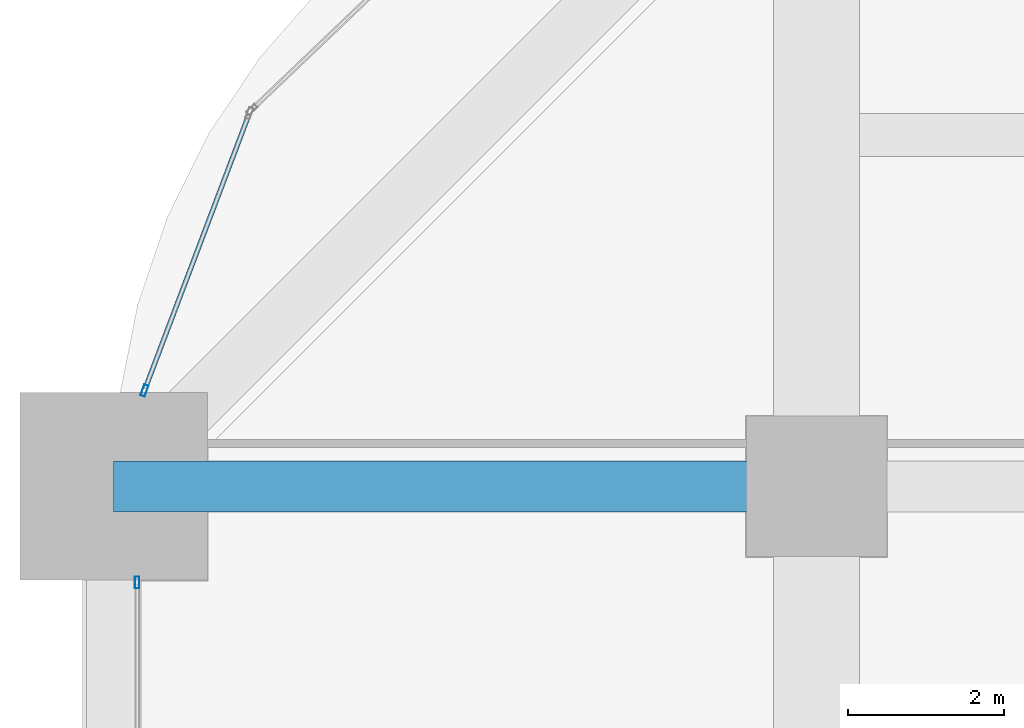
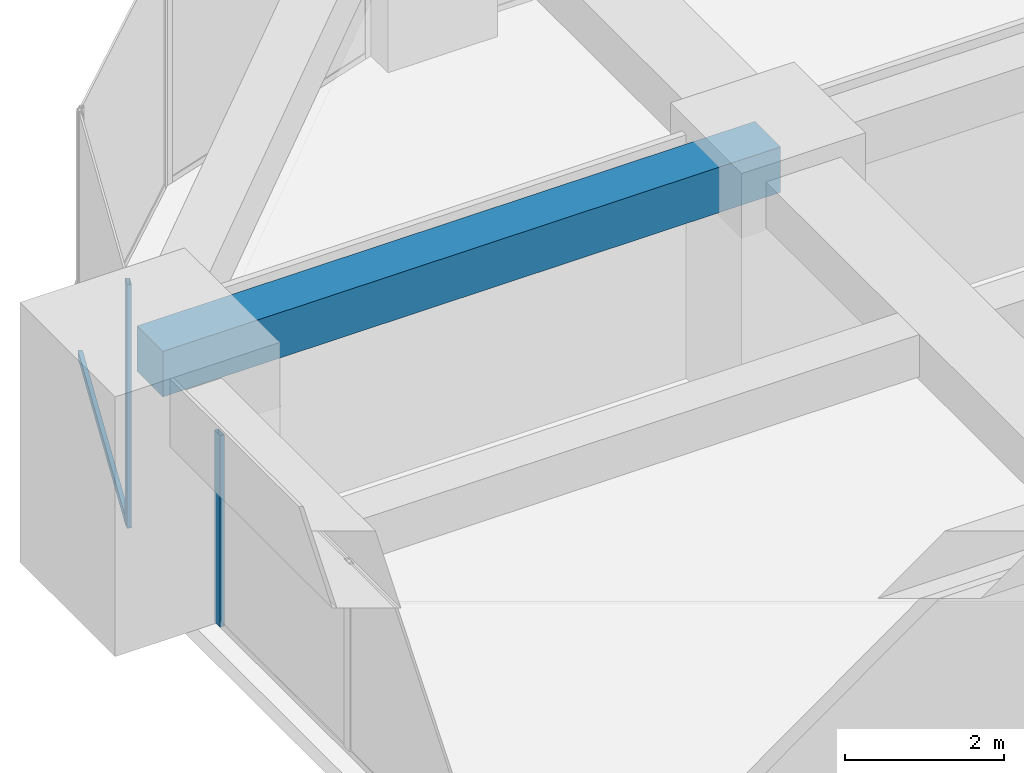
# One storey, part 24 of 40: 3 members, 1 beam, 2 elements without a shape of their own.
"""IFC4 building model written with IfcOpenShell, lengths in metres."""

from ifc_helpers import new_model, si_unit, direction, frame, origin, origin_2d, place, context, subcontext, project, spatial, rectangle, hollow_rectangle, extrude, material, material_profile, profile_set, type_object, element, aggregate, save


model = new_model("IFC4")

# Units and contexts
model_context = context("Model", 3, precision=1e-05, world=origin(), true_north=direction((0.0, 1.0)))
body_context = subcontext(model_context, "Body", "Model", "MODEL_VIEW")
ifc_project = project(units=[si_unit("LENGTHUNIT", "METRE"), si_unit("AREAUNIT", "SQUARE_METRE"), si_unit("VOLUMEUNIT", "CUBIC_METRE"), si_unit("PLANEANGLEUNIT", "RADIAN"), si_unit("MASSUNIT", "GRAM", prefix="KILO")], contexts=[model_context])

# Site, building, storey
site_placement = place(None, origin())
site = spatial("IfcSite", under=ifc_project, at=site_placement, CompositionType="ELEMENT")
building_placement = place(site_placement, origin())
building = spatial("IfcBuilding", under=site, at=building_placement, Name="Zorevar Civic Tower", CompositionType="ELEMENT")
storey_placement = place(building_placement, frame((0.0, 0.0, 129.0)))
storey = spatial("IfcBuildingStorey", under=building, at=storey_placement, Name="L31", CompositionType="ELEMENT", Elevation=129.0)

# Beam
ifc_material_1 = material(Name="Concrete C50/60", Category="concrete")
ifc_material_profile_1 = material_profile(ifc_material_1, rectangle(XDim=0.64990234375, YDim=0.699951171875, at=origin_2d()), Name="RC 650x700")
ifc_profile_set_1 = profile_set([ifc_material_profile_1], Name="Concrete C50/60")
beam_type = type_object("IfcBeamType", Name="Beam RC 650x700", PredefinedType="BEAM", material=ifc_profile_set_1)
beam_placement = place(storey_placement, frame((0.0, 36.0, 3.39990234375), z_axis=(1.0, 0.0, 0.0), x_axis=(0.0, 1.0, 0.0)))
element("IfcBeam", 1, at=beam_placement, inside=storey, type_object=beam_type, Name="Girder L32", PredefinedType="BEAM", context=body_context, shape_type="SweptSolid", body=[
    extrude(rectangle(XDim=0.64990234375, YDim=0.699951171875, at=origin_2d()), origin(), (0.0, 0.0, 1.0), 9.0),
])

# Curtain wall, member
ifc_material_2 = material(Name="Dark grey solar-control glass in black aluminium frame", Category="aluminium")
curtain_wall_type = type_object("IfcCurtainWallType", Name="Curtain wall CW3 mid zone", PredefinedType="NOTDEFINED", material=ifc_material_2)
curtain_wall_1_placement = place(storey_placement, origin())
curtain_wall_1 = element("IfcCurtainWall", 2, at=curtain_wall_1_placement, inside=storey, type_object=curtain_wall_type, Name="CW3 L31", PredefinedType="NOTDEFINED")
ifc_material_3 = material(Name="Aluminium, black anodised", Category="aluminium")
ifc_material_profile_2 = material_profile(ifc_material_3, hollow_rectangle(XDim=0.06005859375, YDim=0.14990234375, WallThickness=0.00390625, at=origin_2d()), Name="AL 150x60x4")
ifc_profile_set_2 = profile_set([ifc_material_profile_2], Name="Aluminium, black anodised")
member_type_1 = type_object("IfcMemberType", Name="CW3 mullion AL 150x60x4", PredefinedType="MULLION", material=ifc_profile_set_2)
member_1_placement = place(storey_placement, frame((0.300048828125, 34.77001953125, 0.0), z_axis=(0.0, 0.0, 1.0), x_axis=(-1.0, 0.0, 0.0)))
member_1 = element("IfcMember", 3, at=member_1_placement, type_object=member_type_1, Name="CW3 mullion 3", PredefinedType="MULLION", context=body_context, shape_type="SweptSolid", body=[
    extrude(hollow_rectangle(XDim=0.06005859375, YDim=0.14990234375, WallThickness=0.00390625, at=origin_2d()), origin(), (0.0, 0.0, 1.0), 2.949951171875),
])
aggregate(curtain_wall_1, [member_1])

# Curtain wall, members
curtain_wall_2_placement = place(storey_placement, origin())
curtain_wall_2 = element("IfcCurtainWall", 4, at=curtain_wall_2_placement, inside=storey, type_object=curtain_wall_type, Name="CW3 L31", PredefinedType="NOTDEFINED")
member_2_placement = place(storey_placement, frame((0.393798828125, 37.22802734375, 0.0), z_axis=(0.0, 0.0, 1.0), x_axis=(0.935276561184, -0.353917722218, 0.0)))
member_2 = element("IfcMember", 5, at=member_2_placement, type_object=member_type_1, Name="CW3 mullion 2", PredefinedType="MULLION", context=body_context, shape_type="SweptSolid", body=[
    extrude(hollow_rectangle(XDim=0.06005859375, YDim=0.14990234375, WallThickness=0.00390625, at=origin_2d()), origin(), (0.0, 0.0, 1.0), 3.75),
])
ifc_material_4 = material(Name="Aluminium, black anodised", Category="aluminium")
ifc_material_profile_3 = material_profile(ifc_material_4, hollow_rectangle(XDim=0.06005859375, YDim=0.1201171875, WallThickness=0.0029296875, at=origin_2d()), Name="AL 120x60x3")
ifc_profile_set_3 = profile_set([ifc_material_profile_3], Name="Aluminium, black anodised")
member_type_2 = type_object("IfcMemberType", Name="CW3 transom AL 120x60x3", PredefinedType="USERDEFINED", material=ifc_profile_set_3)
member_3_placement = place(storey_placement, frame((1.726318359375, 40.7490234375, 0.030029296875), z_axis=(-0.353923007857, -0.93527456103, 0.0), x_axis=(0.93527456103, -0.353923007857, 0.0)))
member_3 = element("IfcMember", 6, at=member_3_placement, type_object=member_type_2, Name="CW3 sill transom", ObjectType="TRANSOM", PredefinedType="USERDEFINED", context=body_context, shape_type="SweptSolid", body=[
    extrude(hollow_rectangle(XDim=0.06005859375, YDim=0.1201171875, WallThickness=0.0029296875, at=origin_2d()), origin(), (0.0, 0.0, 1.0), 3.734619140625),
])
aggregate(curtain_wall_2, [member_2, member_3])

save(model, "model.ifc")
